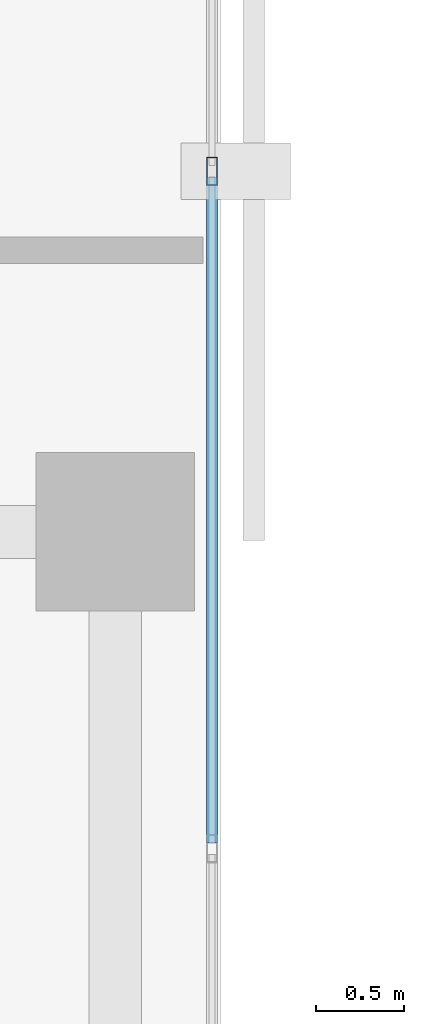
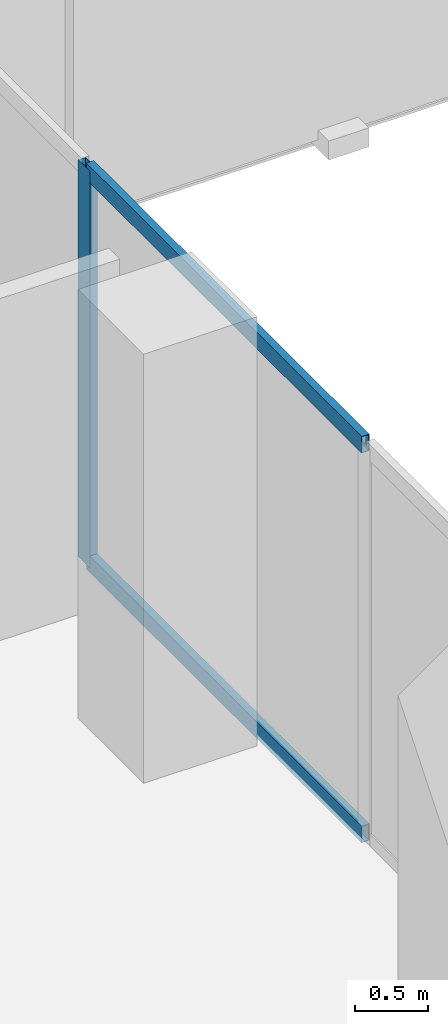
# One storey, part 8 of 33: 3 members, 1 element without a shape of its own.
"""IFC4 building model written with IfcOpenShell, lengths in metres."""

from ifc_helpers import new_model, si_unit, direction, frame, origin, origin_2d, place, context, subcontext, project, spatial, hollow_rectangle, extrude, material, layer, layer_set, material_profile, profile_set, type_object, element, aggregate, save


model = new_model("IFC4")

# Units and contexts
model_context = context("Model", 3, precision=1e-05, world=origin(), true_north=direction((0.0, 1.0)))
body_context = subcontext(model_context, "Body", "Model", "MODEL_VIEW")
ifc_project = project(units=[si_unit("LENGTHUNIT", "METRE"), si_unit("AREAUNIT", "SQUARE_METRE"), si_unit("VOLUMEUNIT", "CUBIC_METRE"), si_unit("PLANEANGLEUNIT", "RADIAN"), si_unit("MASSUNIT", "GRAM", prefix="KILO")], contexts=[model_context])

# Site, building, storey
site_placement = place(None, origin())
site = spatial("IfcSite", under=ifc_project, at=site_placement, CompositionType="ELEMENT")
building_placement = place(site_placement, origin())
building = spatial("IfcBuilding", under=site, at=building_placement, Name="Catumbela Crestline Tower", CompositionType="ELEMENT")
storey_placement = place(building_placement, frame((0.0, 0.0, 108.0)))
storey = spatial("IfcBuildingStorey", under=building, at=storey_placement, Name="L27", CompositionType="ELEMENT", Elevation=108.0)

# Curtain wall, members
ifc_material = material(Name="Aluminium alloy AW-6060-T66", Category="aluminium")
ifc_layer = layer(ifc_material, 0.18, Name="Aluminium alloy AW-6060-T66")
ifc_layer_set = layer_set([ifc_layer], Name="Aluminium alloy AW-6060-T66")
curtain_wall_type = type_object("IfcCurtainWallType", Name="CWU-Z2", PredefinedType="USERDEFINED", material=ifc_layer_set)
curtain_wall_placement = place(storey_placement, origin())
curtain_wall = element("IfcCurtainWall", 1, at=curtain_wall_placement, inside=storey, type_object=curtain_wall_type, Name="L27 Unitised Curtain Wall CW-L27-E2S1", ObjectType="UNITISED", PredefinedType="USERDEFINED")
ifc_material_profile_1 = material_profile(ifc_material, hollow_rectangle(XDim=0.06, YDim=0.16, WallThickness=0.004, at=origin_2d()), Name="ALU 160x60x4")
ifc_profile_set_1 = profile_set([ifc_material_profile_1], Name="Aluminium alloy AW-6060-T66")
member_type_1 = type_object("IfcMemberType", Name="MUL-160X60", PredefinedType="MULLION", material=ifc_profile_set_1)
member_1_placement = place(storey_placement, frame((23.95, 20.05, 0.0), z_axis=(0.0, 0.0, 1.0), x_axis=(-1.0, 0.0, 0.0)))
member_1 = element("IfcMember", 2, at=member_1_placement, type_object=member_type_1, Name="CWU-Z2 mullion 4", PredefinedType="MULLION", context=body_context, shape_type="SweptSolid", body=[
    extrude(hollow_rectangle(XDim=0.06, YDim=0.16, WallThickness=0.004, at=origin_2d()), origin(), (0.0, 0.0, 1.0), 3.33),
])
ifc_material_profile_2 = material_profile(ifc_material, hollow_rectangle(XDim=0.06, YDim=0.14, WallThickness=0.004, at=origin_2d()), Name="ALU 140x60x4")
ifc_profile_set_2 = profile_set([ifc_material_profile_2], Name="Aluminium alloy AW-6060-T66")
member_type_2 = type_object("IfcMemberType", Name="TRN-140X60", PredefinedType="USERDEFINED", material=ifc_profile_set_2)
member_2_placement = place(storey_placement, frame((23.95, 16.2325, 0.03), z_axis=(0.0, 1.0, 0.0), x_axis=(-1.0, 0.0, 0.0)))
member_2 = element("IfcMember", 3, at=member_2_placement, type_object=member_type_2, Name="CWU-Z2 transom 3.1", ObjectType="TRANSOM", PredefinedType="USERDEFINED", context=body_context, shape_type="SweptSolid", body=[
    extrude(hollow_rectangle(XDim=0.06, YDim=0.14, WallThickness=0.004, at=origin_2d()), origin(), (0.0, 0.0, 1.0), 3.785),
])
member_3_placement = place(storey_placement, frame((23.95, 16.2325, 3.3), z_axis=(0.0, 1.0, 0.0), x_axis=(-1.0, 0.0, 0.0)))
member_3 = element("IfcMember", 4, at=member_3_placement, type_object=member_type_2, Name="CWU-Z2 transom 3.2", ObjectType="TRANSOM", PredefinedType="USERDEFINED", context=body_context, shape_type="SweptSolid", body=[
    extrude(hollow_rectangle(XDim=0.06, YDim=0.14, WallThickness=0.004, at=origin_2d()), origin(), (0.0, 0.0, 1.0), 3.785),
])
aggregate(curtain_wall, [member_1, member_2, member_3])

save(model, "model.ifc")
